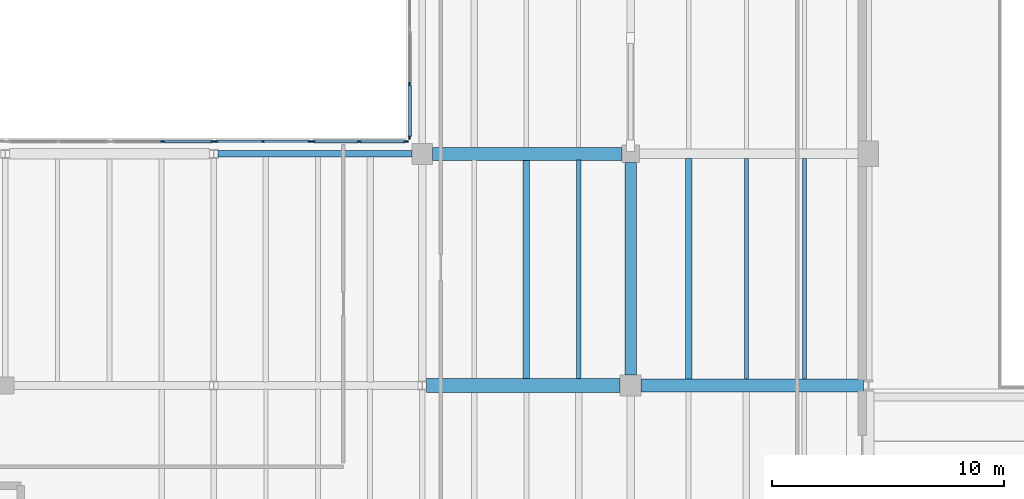
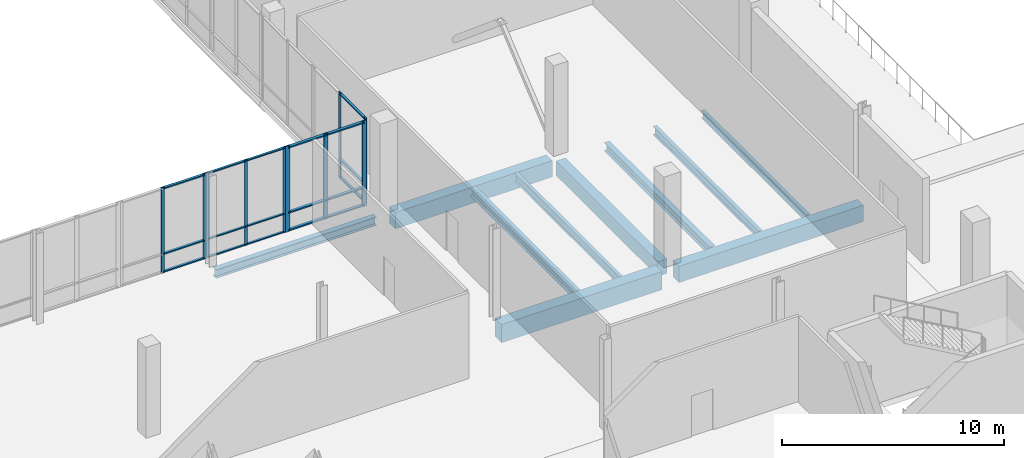
# One storey, part 17 of 60: 28 members, 10 beams, 4 elements without a shape of their own.
"""IFC4 building model written with IfcOpenShell, lengths in metres."""

from ifc_helpers import new_model, si_unit, direction, frame, origin, origin_2d, place, context, subcontext, project, spatial, rectangle, i_section, extrude, material, material_profile, profile_set, type_object, element, aggregate, save


model = new_model("IFC4")

# Units and contexts
model_context = context("Model", 3, precision=1e-05, world=origin(), true_north=direction((0.0, 1.0)))
body_context = subcontext(model_context, "Body", "Model", "MODEL_VIEW")
ifc_project = project(units=[si_unit("LENGTHUNIT", "METRE"), si_unit("AREAUNIT", "SQUARE_METRE"), si_unit("VOLUMEUNIT", "CUBIC_METRE"), si_unit("PLANEANGLEUNIT", "RADIAN"), si_unit("MASSUNIT", "GRAM", prefix="KILO")], contexts=[model_context])

# Site, building, storey
site_placement = place(None, origin())
site = spatial("IfcSite", under=ifc_project, at=site_placement, CompositionType="ELEMENT")
building_placement = place(site_placement, origin())
building = spatial("IfcBuilding", under=site, at=building_placement, Name="Trimount Lyric Opera House", CompositionType="ELEMENT")
storey_placement = place(building_placement, frame((0.0, 0.0, 15.0)))
storey = spatial("IfcBuildingStorey", under=building, at=storey_placement, Name="L03", CompositionType="ELEMENT", Elevation=15.0)

# Beams
ifc_material_1 = material(Name="Concrete C40/50", Category="concrete")
ifc_material_profile_1 = material_profile(ifc_material_1, rectangle(XDim=0.60009765625, YDim=1.0, at=origin_2d()), Name="RC600X1000")
ifc_profile_set_1 = profile_set([ifc_material_profile_1], Name="Concrete C40/50")
beam_type_1 = type_object("IfcBeamType", Name="B-13", PredefinedType="BEAM", material=ifc_profile_set_1)
beam_1_placement = place(storey_placement, frame((45.1865234375, 64.0, -0.780029296875), z_axis=(1.0, 0.0, 0.0), x_axis=(0.0, 1.0, 0.0)))
element("IfcBeam", 1, at=beam_1_placement, inside=storey, type_object=beam_type_1, Name="L03 girder X-0972", PredefinedType="BEAM", context=body_context, shape_type="SweptSolid", body=[
    extrude(rectangle(XDim=0.60009765625, YDim=1.0, at=origin_2d()), origin(), (0.0, 0.0, 1.0), 8.363525390625),
])
ifc_material_2 = material(Name="Concrete C40/50", Category="concrete")
ifc_material_profile_2 = material_profile(ifc_material_2, rectangle(XDim=0.550048828125, YDim=0.89990234375, at=origin_2d()), Name="RC550X900")
ifc_profile_set_2 = profile_set([ifc_material_profile_2], Name="Concrete C40/50")
beam_type_2 = type_object("IfcBeamType", Name="B-14", PredefinedType="BEAM", material=ifc_profile_set_2)
beam_2_placement = place(storey_placement, frame((54.449951171875, 64.0, -0.77490234375), z_axis=(1.0, 0.0, 0.0), x_axis=(0.0, 1.0, 0.0)))
element("IfcBeam", 2, at=beam_2_placement, inside=storey, type_object=beam_type_2, Name="L03 girder X-0973", PredefinedType="BEAM", context=body_context, shape_type="SweptSolid", body=[
    extrude(rectangle(XDim=0.550048828125, YDim=0.89990234375, at=origin_2d()), origin(), (0.0, 0.0, 1.0), 9.59912109375),
])
beam_3_placement = place(storey_placement, frame((45.449951171875, 74.0, -0.72998046875), z_axis=(1.0, 0.0, 0.0), x_axis=(0.0, 1.0, 0.0)))
element("IfcBeam", 3, at=beam_3_placement, inside=storey, type_object=beam_type_2, Name="L03 girder X-0983", PredefinedType="BEAM", context=body_context, shape_type="SweptSolid", body=[
    extrude(rectangle(XDim=0.550048828125, YDim=0.89990234375, at=origin_2d()), origin(), (0.0, 0.0, 1.0), 8.175048828125),
])
ifc_material_3 = material(Name="Concrete C40/50", Category="concrete")
ifc_material_profile_3 = material_profile(ifc_material_3, rectangle(XDim=0.5, YDim=0.800048828125, at=origin_2d()), Name="RC500X800")
ifc_profile_set_3 = profile_set([ifc_material_profile_3], Name="Concrete C40/50")
beam_type_3 = type_object("IfcBeamType", Name="B-15", PredefinedType="BEAM", material=ifc_profile_set_3)
beam_4_placement = place(storey_placement, frame((54.0, 64.449951171875, -0.679931640625), z_axis=(0.0, 1.0, 0.0), x_axis=(-1.0, 0.0, 0.0)))
element("IfcBeam", 4, at=beam_4_placement, inside=storey, type_object=beam_type_3, Name="L03 girder Y-1068", PredefinedType="BEAM", context=body_context, shape_type="SweptSolid", body=[
    extrude(rectangle(XDim=0.5, YDim=0.800048828125, at=origin_2d()), origin(), (0.0, 0.0, 1.0), 9.175048828125),
])
ifc_material_4 = material(Name="Steel ASTM A992 Grade 50", Category="steel")
ifc_material_profile_4 = material_profile(ifc_material_4, i_section(OverallWidth=0.281982421875, OverallDepth=0.467041015625, WebThickness=0.01220703125, FlangeThickness=0.01953125, FilletRadius=0.012939453125, at=origin_2d()), Name="W18X86")
ifc_profile_set_4 = profile_set([ifc_material_profile_4], Name="Steel ASTM A992 Grade 50")
beam_type_4 = type_object("IfcBeamType", Name="J-03", PredefinedType="BEAM", material=ifc_profile_set_4)
beam_5_placement = place(storey_placement, frame((49.5, 64.2958984375, -0.513427734375), z_axis=(0.0, 1.0, 0.0), x_axis=(-1.0, 0.0, 0.0)))
element("IfcBeam", 5, at=beam_5_placement, inside=storey, type_object=beam_type_4, Name="L03 composite floor joist 1042", PredefinedType="BEAM", context=body_context, shape_type="SweptSolid", body=[
    extrude(i_section(OverallWidth=0.281982421875, OverallDepth=0.467041015625, WebThickness=0.01220703125, FlangeThickness=0.01953125, FilletRadius=0.012939453125, at=origin_2d()), origin(), (0.0, 0.0, 1.0), 9.43310546875),
])
beam_6_placement = place(storey_placement, frame((56.5, 64.27099609375, -0.513427734375), z_axis=(0.0, 1.0, 0.0), x_axis=(-1.0, 0.0, 0.0)))
element("IfcBeam", 6, at=beam_6_placement, inside=storey, type_object=beam_type_4, Name="L03 composite floor joist 1062", PredefinedType="BEAM", context=body_context, shape_type="SweptSolid", body=[
    extrude(i_section(OverallWidth=0.281982421875, OverallDepth=0.467041015625, WebThickness=0.01220703125, FlangeThickness=0.01953125, FilletRadius=0.012939453125, at=origin_2d()), origin(), (0.0, 0.0, 1.0), 9.5234375),
])
ifc_material_5 = material(Name="Steel ASTM A992 Grade 50", Category="steel")
ifc_material_profile_5 = material_profile(ifc_material_5, i_section(OverallWidth=0.19091796875, OverallDepth=0.45703125, WebThickness=0.009033203125, FlangeThickness=0.014404296875, FilletRadius=0.010986328125, at=origin_2d()), Name="W18X50")
ifc_profile_set_5 = profile_set([ifc_material_profile_5], Name="Steel ASTM A992 Grade 50")
beam_type_5 = type_object("IfcBeamType", Name="J-04", PredefinedType="BEAM", material=ifc_profile_set_5)
beam_7_placement = place(storey_placement, frame((51.75, 64.2958984375, -0.508544921875), z_axis=(0.0, 1.0, 0.0), x_axis=(-1.0, 0.0, 0.0)))
element("IfcBeam", 7, at=beam_7_placement, inside=storey, type_object=beam_type_5, Name="L03 composite floor joist 1043", PredefinedType="BEAM", context=body_context, shape_type="SweptSolid", body=[
    extrude(i_section(OverallWidth=0.19091796875, OverallDepth=0.45703125, WebThickness=0.009033203125, FlangeThickness=0.014404296875, FilletRadius=0.010986328125, at=origin_2d()), origin(), (0.0, 0.0, 1.0), 9.43310546875),
])
beam_8_placement = place(storey_placement, frame((59.0, 64.27099609375, -0.508544921875), z_axis=(0.0, 1.0, 0.0), x_axis=(-1.0, 0.0, 0.0)))
element("IfcBeam", 8, at=beam_8_placement, inside=storey, type_object=beam_type_5, Name="L03 composite floor joist 1063", PredefinedType="BEAM", context=body_context, shape_type="SweptSolid", body=[
    extrude(i_section(OverallWidth=0.19091796875, OverallDepth=0.45703125, WebThickness=0.009033203125, FlangeThickness=0.014404296875, FilletRadius=0.010986328125, at=origin_2d()), origin(), (0.0, 0.0, 1.0), 9.5234375),
])
ifc_material_6 = material(Name="Steel ASTM A992 Grade 50", Category="steel")
ifc_material_profile_6 = material_profile(ifc_material_6, i_section(OverallWidth=0.180908203125, OverallDepth=0.4169921875, WebThickness=0.010986328125, FlangeThickness=0.018310546875, FilletRadius=0.010986328125, at=origin_2d()), Name="W16X57")
ifc_profile_set_6 = profile_set([ifc_material_profile_6], Name="Steel ASTM A992 Grade 50")
beam_type_6 = type_object("IfcBeamType", Name="J-05", PredefinedType="BEAM", material=ifc_profile_set_6)
beam_9_placement = place(storey_placement, frame((61.5, 64.27099609375, -0.488525390625), z_axis=(0.0, 1.0, 0.0), x_axis=(-1.0, 0.0, 0.0)))
element("IfcBeam", 9, at=beam_9_placement, inside=storey, type_object=beam_type_6, Name="L03 composite floor joist 1064", PredefinedType="BEAM", context=body_context, shape_type="SweptSolid", body=[
    extrude(i_section(OverallWidth=0.180908203125, OverallDepth=0.4169921875, WebThickness=0.010986328125, FlangeThickness=0.018310546875, FilletRadius=0.010986328125, at=origin_2d()), origin(), (0.0, 0.0, 1.0), 9.5234375),
])

# Curtain wall, members
ifc_material_7 = material(Name="Thermally Broken Aluminium and Low-E Glass", Category="aluminium")
curtain_wall_type = type_object("IfcCurtainWallType", Name="CW-03", PredefinedType="NOTDEFINED", material=ifc_material_7)
curtain_wall_1_placement = place(storey_placement, origin())
curtain_wall_1 = element("IfcCurtainWall", 10, at=curtain_wall_1_placement, inside=storey, type_object=curtain_wall_type, Name="L03 curtain wall 300", PredefinedType="NOTDEFINED")
ifc_material_8 = material(Name="Anodised Aluminium 6063-T6", Category="aluminium")
ifc_material_profile_7 = material_profile(ifc_material_8, rectangle(XDim=0.070068359375, YDim=0.219970703125, at=origin_2d()), Name="ALU-MULL-70X220")
ifc_profile_set_7 = profile_set([ifc_material_profile_7], Name="Anodised Aluminium 6063-T6")
member_type_1 = type_object("IfcMemberType", Name="ML-01", PredefinedType="MULLION", material=ifc_profile_set_7)
member_1_placement = place(storey_placement, frame((40.284912109375, 74.5400390625, 0.0), z_axis=(0.0, 0.0, 1.0), x_axis=(0.0, 1.0, 0.0)))
member_1 = element("IfcMember", 11, at=member_1_placement, type_object=member_type_1, Name="CW-03 mullion 1", PredefinedType="MULLION", context=body_context, shape_type="SweptSolid", body=[
    extrude(rectangle(XDim=0.070068359375, YDim=0.219970703125, at=origin_2d()), origin(), (0.0, 0.0, 1.0), 4.719970703125),
])
member_2_placement = place(storey_placement, frame((42.284912109375, 74.5400390625, 0.0), z_axis=(0.0, 0.0, 1.0), x_axis=(0.0, 1.0, 0.0)))
member_2 = element("IfcMember", 12, at=member_2_placement, type_object=member_type_1, Name="CW-03 mullion 2", PredefinedType="MULLION", context=body_context, shape_type="SweptSolid", body=[
    extrude(rectangle(XDim=0.070068359375, YDim=0.219970703125, at=origin_2d()), origin(), (0.0, 0.0, 1.0), 4.719970703125),
])
member_3_placement = place(storey_placement, frame((44.284912109375, 74.5400390625, 0.0), z_axis=(0.0, 0.0, 1.0), x_axis=(0.0, 1.0, 0.0)))
member_3 = element("IfcMember", 13, at=member_3_placement, type_object=member_type_1, Name="CW-03 mullion 3", PredefinedType="MULLION", context=body_context, shape_type="SweptSolid", body=[
    extrude(rectangle(XDim=0.070068359375, YDim=0.219970703125, at=origin_2d()), origin(), (0.0, 0.0, 1.0), 4.719970703125),
])

curtain_wall_2_placement = place(storey_placement, origin())
curtain_wall_2 = element("IfcCurtainWall", 14, at=curtain_wall_2_placement, inside=storey, type_object=curtain_wall_type, Name="L03 curtain wall 277", PredefinedType="NOTDEFINED")
ifc_material_9 = material(Name="Anodised Aluminium 6063-T6", Category="aluminium")
ifc_material_profile_8 = material_profile(ifc_material_9, rectangle(XDim=0.06494140625, YDim=0.179931640625, at=origin_2d()), Name="ALU-MULL-65X180")
ifc_profile_set_8 = profile_set([ifc_material_profile_8], Name="Anodised Aluminium 6063-T6")
member_type_2 = type_object("IfcMemberType", Name="ML-02", PredefinedType="MULLION", material=ifc_profile_set_8)
member_4_placement = place(storey_placement, frame((44.4599609375, 74.71240234375, 0.0), z_axis=(0.0, 0.0, 1.0), x_axis=(-1.0, 0.0, 0.0)))
member_4 = element("IfcMember", 15, at=member_4_placement, type_object=member_type_2, Name="CW-03 mullion 1", PredefinedType="MULLION", context=body_context, shape_type="SweptSolid", body=[
    extrude(rectangle(XDim=0.06494140625, YDim=0.179931640625, at=origin_2d()), origin(), (0.0, 0.0, 1.0), 4.719970703125),
])
member_5_placement = place(storey_placement, frame((44.4599609375, 77.010009765625, 0.0), z_axis=(0.0, 0.0, 1.0), x_axis=(-1.0, 0.0, 0.0)))
member_5 = element("IfcMember", 16, at=member_5_placement, type_object=member_type_2, Name="CW-03 mullion 2", PredefinedType="MULLION", context=body_context, shape_type="SweptSolid", body=[
    extrude(rectangle(XDim=0.06494140625, YDim=0.179931640625, at=origin_2d()), origin(), (0.0, 0.0, 1.0), 4.719970703125),
])

curtain_wall_3_placement = place(storey_placement, origin())
curtain_wall_3 = element("IfcCurtainWall", 17, at=curtain_wall_3_placement, inside=storey, type_object=curtain_wall_type, Name="L03 curtain wall 298", PredefinedType="NOTDEFINED")
member_6_placement = place(storey_placement, frame((33.794921875, 74.5400390625, 0.0), z_axis=(0.0, 0.0, 1.0), x_axis=(0.0, 1.0, 0.0)))
member_6 = element("IfcMember", 18, at=member_6_placement, type_object=member_type_2, Name="CW-03 mullion 2", PredefinedType="MULLION", context=body_context, shape_type="SweptSolid", body=[
    extrude(rectangle(XDim=0.06494140625, YDim=0.179931640625, at=origin_2d()), origin(), (0.0, 0.0, 1.0), 4.719970703125),
])
member_7_placement = place(storey_placement, frame((35.967529296875, 74.5400390625, 0.0), z_axis=(0.0, 0.0, 1.0), x_axis=(0.0, 1.0, 0.0)))
member_7 = element("IfcMember", 19, at=member_7_placement, type_object=member_type_2, Name="CW-03 mullion 3", PredefinedType="MULLION", context=body_context, shape_type="SweptSolid", body=[
    extrude(rectangle(XDim=0.06494140625, YDim=0.179931640625, at=origin_2d()), origin(), (0.0, 0.0, 1.0), 4.719970703125),
])

curtain_wall_4_placement = place(storey_placement, origin())
curtain_wall_4 = element("IfcCurtainWall", 20, at=curtain_wall_4_placement, inside=storey, type_object=curtain_wall_type, Name="L03 curtain wall 299", PredefinedType="NOTDEFINED")
ifc_material_10 = material(Name="Anodised Aluminium 6063-T6", Category="aluminium")
ifc_material_profile_9 = material_profile(ifc_material_10, rectangle(XDim=0.06005859375, YDim=0.14990234375, at=origin_2d()), Name="ALU-MULL-60X150")
ifc_profile_set_9 = profile_set([ifc_material_profile_9], Name="Anodised Aluminium 6063-T6")
member_type_3 = type_object("IfcMemberType", Name="ML-03", PredefinedType="MULLION", material=ifc_profile_set_9)
member_8_placement = place(storey_placement, frame((36.1201171875, 74.5400390625, 0.0), z_axis=(0.0, 0.0, 1.0), x_axis=(0.0, 1.0, 0.0)))
member_8 = element("IfcMember", 21, at=member_8_placement, type_object=member_type_3, Name="CW-03 mullion 1", PredefinedType="MULLION", context=body_context, shape_type="SweptSolid", body=[
    extrude(rectangle(XDim=0.06005859375, YDim=0.14990234375, at=origin_2d()), origin(), (0.0, 0.0, 1.0), 4.719970703125),
])
member_9_placement = place(storey_placement, frame((38.125, 74.5400390625, 0.0), z_axis=(0.0, 0.0, 1.0), x_axis=(0.0, 1.0, 0.0)))
member_9 = element("IfcMember", 22, at=member_9_placement, type_object=member_type_3, Name="CW-03 mullion 2", PredefinedType="MULLION", context=body_context, shape_type="SweptSolid", body=[
    extrude(rectangle(XDim=0.06005859375, YDim=0.14990234375, at=origin_2d()), origin(), (0.0, 0.0, 1.0), 4.719970703125),
])
member_10_placement = place(storey_placement, frame((40.1298828125, 74.5400390625, 0.0), z_axis=(0.0, 0.0, 1.0), x_axis=(0.0, 1.0, 0.0)))
member_10 = element("IfcMember", 23, at=member_10_placement, type_object=member_type_3, Name="CW-03 mullion 3", PredefinedType="MULLION", context=body_context, shape_type="SweptSolid", body=[
    extrude(rectangle(XDim=0.06005859375, YDim=0.14990234375, at=origin_2d()), origin(), (0.0, 0.0, 1.0), 4.719970703125),
])

# Beam
ifc_material_11 = material(Name="Steel ASTM A992 Grade 50", Category="steel")
ifc_material_profile_10 = material_profile(ifc_material_11, i_section(OverallWidth=0.281982421875, OverallDepth=0.467041015625, WebThickness=0.01220703125, FlangeThickness=0.01953125, FilletRadius=0.012939453125, at=origin_2d()), Name="W18X86")
ifc_profile_set_10 = profile_set([ifc_material_profile_10], Name="Steel ASTM A992 Grade 50")
beam_type_7 = type_object("IfcBeamType", Name="SP-01", PredefinedType="SPANDREL", material=ifc_profile_set_10)
beam_10_placement = place(storey_placement, frame((36.1865234375, 74.0, -0.513427734375), z_axis=(1.0, 0.0, 0.0), x_axis=(0.0, 1.0, 0.0)))
element("IfcBeam", 24, at=beam_10_placement, inside=storey, type_object=beam_type_7, Name="L03 girder X-0982", PredefinedType="SPANDREL", context=body_context, shape_type="SweptSolid", body=[
    extrude(i_section(OverallWidth=0.281982421875, OverallDepth=0.467041015625, WebThickness=0.01220703125, FlangeThickness=0.01953125, FilletRadius=0.012939453125, at=origin_2d()), origin(), (0.0, 0.0, 1.0), 8.363525390625),
])

# Member
ifc_material_12 = material(Name="Anodised Aluminium 6063-T6", Category="aluminium")
ifc_material_profile_11 = material_profile(ifc_material_12, rectangle(XDim=0.159912109375, YDim=0.070068359375, at=origin_2d()), Name="ALU-TRAN-70X160")
ifc_profile_set_11 = profile_set([ifc_material_profile_11], Name="Anodised Aluminium 6063-T6")
member_type_4 = type_object("IfcMemberType", Name="TR-01", PredefinedType="USERDEFINED", material=ifc_profile_set_11)
member_11_placement = place(storey_placement, frame((40.320068359375, 74.5400390625, 0.080078125), z_axis=(1.0, 0.0, 0.0), x_axis=(0.0, 1.0, 0.0)))
member_11 = element("IfcMember", 25, at=member_11_placement, type_object=member_type_4, Name="CW-03 transom 1.1", ObjectType="TRANSOM", PredefinedType="USERDEFINED", context=body_context, shape_type="SweptSolid", body=[
    extrude(rectangle(XDim=0.159912109375, YDim=0.070068359375, at=origin_2d()), origin(), (0.0, 0.0, 1.0), 1.929931640625),
])

member_12_placement = place(storey_placement, frame((40.320068359375, 74.5400390625, 1.050048828125), z_axis=(1.0, 0.0, 0.0), x_axis=(0.0, 1.0, 0.0)))
member_12 = element("IfcMember", 26, at=member_12_placement, type_object=member_type_4, Name="CW-03 transom 1.2", ObjectType="TRANSOM", PredefinedType="USERDEFINED", context=body_context, shape_type="SweptSolid", body=[
    extrude(rectangle(XDim=0.159912109375, YDim=0.070068359375, at=origin_2d()), origin(), (0.0, 0.0, 1.0), 1.929931640625),
])

member_13_placement = place(storey_placement, frame((40.320068359375, 74.5400390625, 4.639892578125), z_axis=(1.0, 0.0, 0.0), x_axis=(0.0, 1.0, 0.0)))
member_13 = element("IfcMember", 27, at=member_13_placement, type_object=member_type_4, Name="CW-03 transom 1.3", ObjectType="TRANSOM", PredefinedType="USERDEFINED", context=body_context, shape_type="SweptSolid", body=[
    extrude(rectangle(XDim=0.159912109375, YDim=0.070068359375, at=origin_2d()), origin(), (0.0, 0.0, 1.0), 1.929931640625),
])

member_14_placement = place(storey_placement, frame((42.320068359375, 74.5400390625, 0.080078125), z_axis=(1.0, 0.0, 0.0), x_axis=(0.0, 1.0, 0.0)))
member_14 = element("IfcMember", 28, at=member_14_placement, type_object=member_type_4, Name="CW-03 transom 2.1", ObjectType="TRANSOM", PredefinedType="USERDEFINED", context=body_context, shape_type="SweptSolid", body=[
    extrude(rectangle(XDim=0.159912109375, YDim=0.070068359375, at=origin_2d()), origin(), (0.0, 0.0, 1.0), 1.929931640625),
])

member_15_placement = place(storey_placement, frame((42.320068359375, 74.5400390625, 1.050048828125), z_axis=(1.0, 0.0, 0.0), x_axis=(0.0, 1.0, 0.0)))
member_15 = element("IfcMember", 29, at=member_15_placement, type_object=member_type_4, Name="CW-03 transom 2.2", ObjectType="TRANSOM", PredefinedType="USERDEFINED", context=body_context, shape_type="SweptSolid", body=[
    extrude(rectangle(XDim=0.159912109375, YDim=0.070068359375, at=origin_2d()), origin(), (0.0, 0.0, 1.0), 1.929931640625),
])

member_16_placement = place(storey_placement, frame((42.320068359375, 74.5400390625, 4.639892578125), z_axis=(1.0, 0.0, 0.0), x_axis=(0.0, 1.0, 0.0)))
member_16 = element("IfcMember", 30, at=member_16_placement, type_object=member_type_4, Name="CW-03 transom 2.3", ObjectType="TRANSOM", PredefinedType="USERDEFINED", context=body_context, shape_type="SweptSolid", body=[
    extrude(rectangle(XDim=0.159912109375, YDim=0.070068359375, at=origin_2d()), origin(), (0.0, 0.0, 1.0), 1.929931640625),
])

aggregate(curtain_wall_1, [member_1, member_2, member_3, member_11, member_12, member_13, member_14, member_15, member_16])

ifc_material_13 = material(Name="Anodised Aluminium 6063-T6", Category="aluminium")
ifc_material_profile_12 = material_profile(ifc_material_13, rectangle(XDim=0.135009765625, YDim=0.06494140625, at=origin_2d()), Name="ALU-TRAN-65X135")
ifc_profile_set_12 = profile_set([ifc_material_profile_12], Name="Anodised Aluminium 6063-T6")
member_type_5 = type_object("IfcMemberType", Name="TR-02", PredefinedType="USERDEFINED", material=ifc_profile_set_12)
member_17_placement = place(storey_placement, frame((44.4599609375, 74.7451171875, 0.0673828125), z_axis=(0.0, 1.0, 0.0), x_axis=(-1.0, 0.0, 0.0)))
member_17 = element("IfcMember", 31, at=member_17_placement, type_object=member_type_5, Name="CW-03 transom 1.1", ObjectType="TRANSOM", PredefinedType="USERDEFINED", context=body_context, shape_type="SweptSolid", body=[
    extrude(rectangle(XDim=0.135009765625, YDim=0.06494140625, at=origin_2d()), origin(), (0.0, 0.0, 1.0), 2.232421875),
])

member_18_placement = place(storey_placement, frame((44.4599609375, 74.7451171875, 1.050048828125), z_axis=(0.0, 1.0, 0.0), x_axis=(-1.0, 0.0, 0.0)))
member_18 = element("IfcMember", 32, at=member_18_placement, type_object=member_type_5, Name="CW-03 transom 1.2", ObjectType="TRANSOM", PredefinedType="USERDEFINED", context=body_context, shape_type="SweptSolid", body=[
    extrude(rectangle(XDim=0.135009765625, YDim=0.06494140625, at=origin_2d()), origin(), (0.0, 0.0, 1.0), 2.232421875),
])

member_19_placement = place(storey_placement, frame((44.4599609375, 74.7451171875, 4.652587890625), z_axis=(0.0, 1.0, 0.0), x_axis=(-1.0, 0.0, 0.0)))
member_19 = element("IfcMember", 33, at=member_19_placement, type_object=member_type_5, Name="CW-03 transom 1.3", ObjectType="TRANSOM", PredefinedType="USERDEFINED", context=body_context, shape_type="SweptSolid", body=[
    extrude(rectangle(XDim=0.135009765625, YDim=0.06494140625, at=origin_2d()), origin(), (0.0, 0.0, 1.0), 2.232421875),
])

aggregate(curtain_wall_2, [member_4, member_5, member_17, member_18, member_19])

member_20_placement = place(storey_placement, frame((33.827392578125, 74.5400390625, 0.0673828125), z_axis=(1.0, 0.0, 0.0), x_axis=(0.0, 1.0, 0.0)))
member_20 = element("IfcMember", 34, at=member_20_placement, type_object=member_type_5, Name="CW-03 transom 2.1", ObjectType="TRANSOM", PredefinedType="USERDEFINED", context=body_context, shape_type="SweptSolid", body=[
    extrude(rectangle(XDim=0.135009765625, YDim=0.06494140625, at=origin_2d()), origin(), (0.0, 0.0, 1.0), 2.107666015625),
])

member_21_placement = place(storey_placement, frame((33.827392578125, 74.5400390625, 1.050048828125), z_axis=(1.0, 0.0, 0.0), x_axis=(0.0, 1.0, 0.0)))
member_21 = element("IfcMember", 35, at=member_21_placement, type_object=member_type_5, Name="CW-03 transom 2.2", ObjectType="TRANSOM", PredefinedType="USERDEFINED", context=body_context, shape_type="SweptSolid", body=[
    extrude(rectangle(XDim=0.135009765625, YDim=0.06494140625, at=origin_2d()), origin(), (0.0, 0.0, 1.0), 2.107666015625),
])

member_22_placement = place(storey_placement, frame((33.827392578125, 74.5400390625, 4.652587890625), z_axis=(1.0, 0.0, 0.0), x_axis=(0.0, 1.0, 0.0)))
member_22 = element("IfcMember", 36, at=member_22_placement, type_object=member_type_5, Name="CW-03 transom 2.3", ObjectType="TRANSOM", PredefinedType="USERDEFINED", context=body_context, shape_type="SweptSolid", body=[
    extrude(rectangle(XDim=0.135009765625, YDim=0.06494140625, at=origin_2d()), origin(), (0.0, 0.0, 1.0), 2.107666015625),
])

aggregate(curtain_wall_3, [member_6, member_7, member_20, member_21, member_22])

ifc_material_14 = material(Name="Anodised Aluminium 6063-T6", Category="aluminium")
ifc_material_profile_13 = material_profile(ifc_material_14, rectangle(XDim=0.114990234375, YDim=0.06005859375, at=origin_2d()), Name="ALU-TRAN-60X115")
ifc_profile_set_13 = profile_set([ifc_material_profile_13], Name="Anodised Aluminium 6063-T6")
member_type_6 = type_object("IfcMemberType", Name="TR-03", PredefinedType="USERDEFINED", material=ifc_profile_set_13)
member_23_placement = place(storey_placement, frame((36.14990234375, 74.5400390625, 0.0576171875), z_axis=(1.0, 0.0, 0.0), x_axis=(0.0, 1.0, 0.0)))
member_23 = element("IfcMember", 37, at=member_23_placement, type_object=member_type_6, Name="CW-03 transom 1.1", ObjectType="TRANSOM", PredefinedType="USERDEFINED", context=body_context, shape_type="SweptSolid", body=[
    extrude(rectangle(XDim=0.114990234375, YDim=0.06005859375, at=origin_2d()), origin(), (0.0, 0.0, 1.0), 1.945068359375),
])

member_24_placement = place(storey_placement, frame((36.14990234375, 74.5400390625, 1.050048828125), z_axis=(1.0, 0.0, 0.0), x_axis=(0.0, 1.0, 0.0)))
member_24 = element("IfcMember", 38, at=member_24_placement, type_object=member_type_6, Name="CW-03 transom 1.2", ObjectType="TRANSOM", PredefinedType="USERDEFINED", context=body_context, shape_type="SweptSolid", body=[
    extrude(rectangle(XDim=0.114990234375, YDim=0.06005859375, at=origin_2d()), origin(), (0.0, 0.0, 1.0), 1.945068359375),
])

member_25_placement = place(storey_placement, frame((36.14990234375, 74.5400390625, 4.66259765625), z_axis=(1.0, 0.0, 0.0), x_axis=(0.0, 1.0, 0.0)))
member_25 = element("IfcMember", 39, at=member_25_placement, type_object=member_type_6, Name="CW-03 transom 1.3", ObjectType="TRANSOM", PredefinedType="USERDEFINED", context=body_context, shape_type="SweptSolid", body=[
    extrude(rectangle(XDim=0.114990234375, YDim=0.06005859375, at=origin_2d()), origin(), (0.0, 0.0, 1.0), 1.945068359375),
])

member_26_placement = place(storey_placement, frame((38.155029296875, 74.5400390625, 0.0576171875), z_axis=(1.0, 0.0, 0.0), x_axis=(0.0, 1.0, 0.0)))
member_26 = element("IfcMember", 40, at=member_26_placement, type_object=member_type_6, Name="CW-03 transom 2.1", ObjectType="TRANSOM", PredefinedType="USERDEFINED", context=body_context, shape_type="SweptSolid", body=[
    extrude(rectangle(XDim=0.114990234375, YDim=0.06005859375, at=origin_2d()), origin(), (0.0, 0.0, 1.0), 1.945068359375),
])

member_27_placement = place(storey_placement, frame((38.155029296875, 74.5400390625, 1.050048828125), z_axis=(1.0, 0.0, 0.0), x_axis=(0.0, 1.0, 0.0)))
member_27 = element("IfcMember", 41, at=member_27_placement, type_object=member_type_6, Name="CW-03 transom 2.2", ObjectType="TRANSOM", PredefinedType="USERDEFINED", context=body_context, shape_type="SweptSolid", body=[
    extrude(rectangle(XDim=0.114990234375, YDim=0.06005859375, at=origin_2d()), origin(), (0.0, 0.0, 1.0), 1.945068359375),
])

member_28_placement = place(storey_placement, frame((38.155029296875, 74.5400390625, 4.66259765625), z_axis=(1.0, 0.0, 0.0), x_axis=(0.0, 1.0, 0.0)))
member_28 = element("IfcMember", 42, at=member_28_placement, type_object=member_type_6, Name="CW-03 transom 2.3", ObjectType="TRANSOM", PredefinedType="USERDEFINED", context=body_context, shape_type="SweptSolid", body=[
    extrude(rectangle(XDim=0.114990234375, YDim=0.06005859375, at=origin_2d()), origin(), (0.0, 0.0, 1.0), 1.945068359375),
])

aggregate(curtain_wall_4, [member_8, member_9, member_10, member_23, member_24, member_25, member_26, member_27, member_28])

save(model, "model.ifc")
